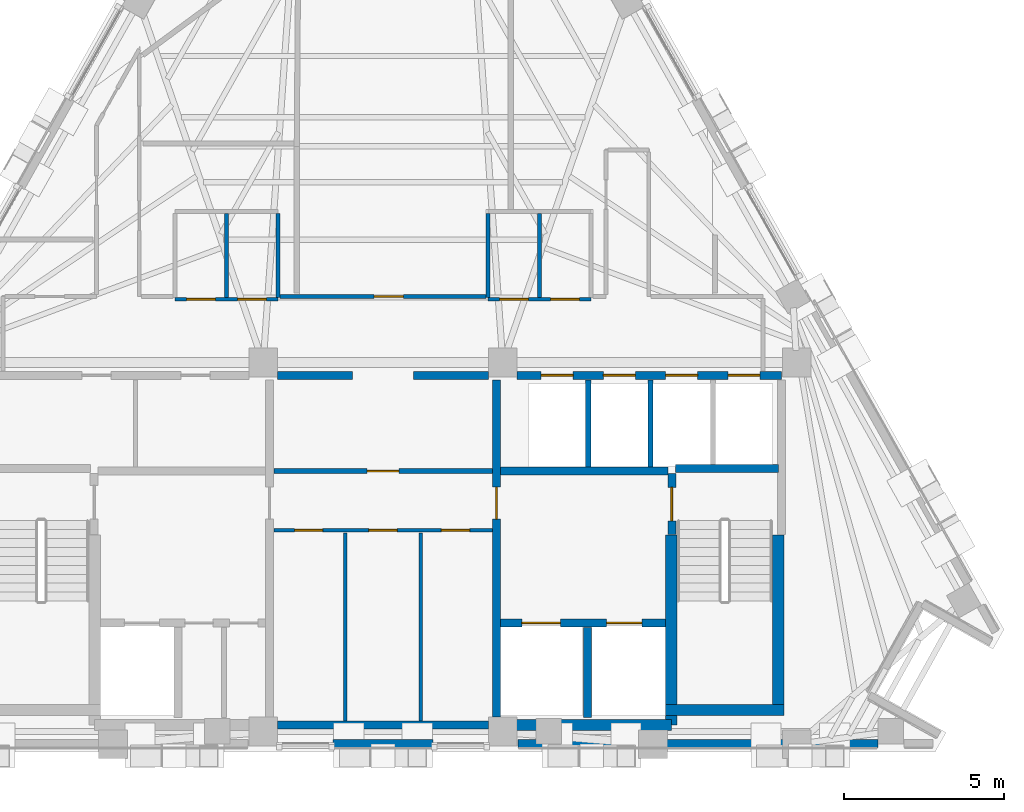
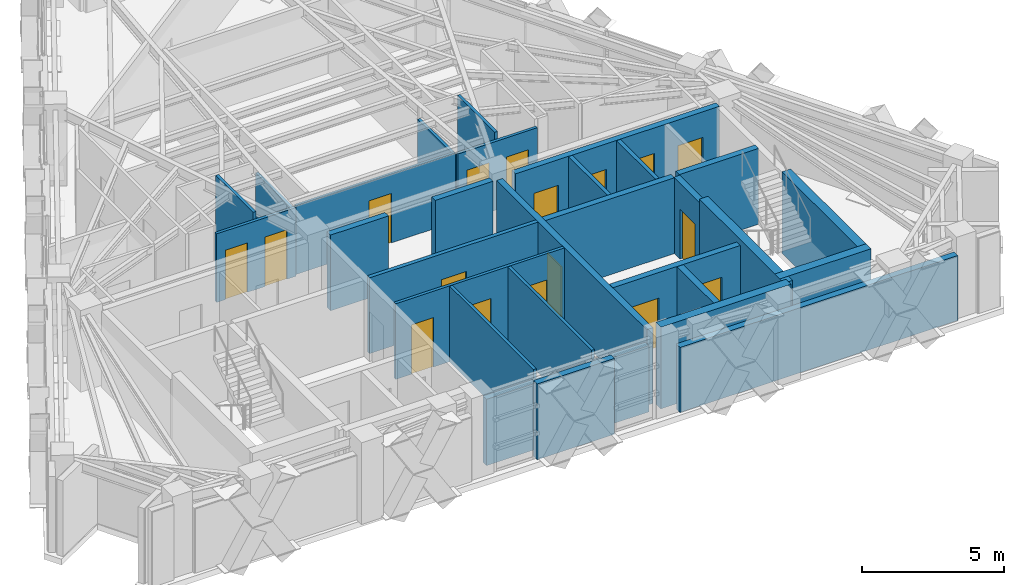
# One storey, part 7 of 11: 29 walls, 17 doors, 17 openings.
"""IFC4 building model written with IfcOpenShell, lengths in metres."""

from ifc_helpers import new_model, si_unit, direction, frame, frame_2d, origin, place, context, subcontext, project, spatial, rectangle, extrude, material, layer, layer_set, type_object, element, fill, save


model = new_model("IFC4")

# Units and contexts
model_context = context("Model", 3, precision=1e-05, world=origin(), true_north=direction((0.0, 1.0)))
body_context = subcontext(model_context, "Body", "Model", "MODEL_VIEW")
ifc_project = project(units=[si_unit("LENGTHUNIT", "METRE"), si_unit("AREAUNIT", "SQUARE_METRE"), si_unit("VOLUMEUNIT", "CUBIC_METRE"), si_unit("PLANEANGLEUNIT", "RADIAN"), si_unit("MASSUNIT", "GRAM", prefix="KILO")], contexts=[model_context])

# Site, building, storey
site_placement = place(None, origin())
site = spatial("IfcSite", under=ifc_project, at=site_placement, CompositionType="ELEMENT")
building_placement = place(site_placement, origin())
building = spatial("IfcBuilding", under=site, at=building_placement, Name="Quenlor Broadcast Tower", CompositionType="ELEMENT")
storey_placement = place(building_placement, frame((0.0, 0.0, 242.89990234375)))
storey = spatial("IfcBuildingStorey", under=building, at=storey_placement, Name="L67", CompositionType="ELEMENT", Elevation=242.89990234375)

# Walls
ifc_material_1 = material(Name="Concrete C50/60", Category="concrete")
ifc_layer_1 = layer(ifc_material_1, 0.35009765625)
ifc_layer_set_1 = layer_set([ifc_layer_1], Name="Core Concrete C50/60 Shear Wall 350")
wall_type_1 = type_object("IfcWallType", Name="Core Concrete C50/60 Shear Wall 350", PredefinedType="SHEAR", material=ifc_layer_set_1)
wall_1_placement = place(storey_placement, frame((3.75, -16.14990234375, 0.0), z_axis=(0.0, 0.0, 1.0), x_axis=(1.0, 0.0, 0.0)))
element("IfcWall", 1, at=wall_1_placement, inside=storey, type_object=wall_type_1, Name="L67 Core Shear Wall WS-E1", PredefinedType="SHEAR", context=body_context, shape_type="SweptSolid", body=[
    extrude(rectangle(XDim=5.27490234375, YDim=0.35009765625, at=frame_2d((2.637451171875, 0.0))), origin(), (0.0, 0.0, 1.0), 3.5),
])
wall_2_placement = place(storey_placement, frame((8.85009765625, -15.675048828125, 0.0), z_axis=(0.0, 0.0, 1.0), x_axis=(1.0, 0.0, 0.0)))
element("IfcWall", 2, at=wall_2_placement, inside=storey, type_object=wall_type_1, Name="L67 Core Shear Wall WS-E2", PredefinedType="SHEAR", context=body_context, shape_type="SweptSolid", body=[
    extrude(rectangle(XDim=3.699951171875, YDim=0.35009765625, at=frame_2d((1.85009765625, 0.0))), origin(), (0.0, 0.0, 1.0), 3.5),
])
wall_3_placement = place(storey_placement, frame((12.375, -15.675048828125, 0.0), z_axis=(0.0, 0.0, 1.0), x_axis=(0.0, 1.0, 0.0)))
element("IfcWall", 3, at=wall_3_placement, inside=storey, type_object=wall_type_1, Name="L67 Core Shear Wall WF-E", PredefinedType="SHEAR", context=body_context, shape_type="SweptSolid", body=[
    extrude(rectangle(XDim=5.47509765625, YDim=0.35009765625, at=frame_2d((2.737548828125, 0.0))), origin(), (0.0, 0.0, 1.0), 3.5),
])
wall_4_placement = place(storey_placement, frame((9.02490234375, -16.14990234375, 0.0), z_axis=(0.0, 0.0, 1.0), x_axis=(0.0, 1.0, 0.0)))
element("IfcWall", 4, at=wall_4_placement, inside=storey, type_object=wall_type_1, Name="L67 Core Shear Wall WI-E", PredefinedType="SHEAR", context=body_context, shape_type="SweptSolid", body=[
    extrude(rectangle(XDim=5.949951171875, YDim=0.35009765625, at=frame_2d((2.97509765625, 0.0))), origin(), (0.0, 0.0, 1.0), 3.5),
])

# Wall, opening, door
ifc_material_2 = material(Name="Concrete C40/50", Category="concrete")
ifc_layer_2 = layer(ifc_material_2, 0.25)
ifc_layer_set_2 = layer_set([ifc_layer_2], Name="Fire Rated Concrete C40/50 Core Wall 250")
wall_type_2 = type_object("IfcWallType", Name="Fire Rated Concrete C40/50 Core Wall 250", PredefinedType="PARTITIONING", material=ifc_layer_set_2)
wall_5_placement = place(storey_placement, frame((9.0400390625, -10.179931640625, 0.0), z_axis=(0.0, 0.0, 1.0), x_axis=(0.0, 1.0, 0.0)))
wall_5 = element("IfcWall", 5, at=wall_5_placement, inside=storey, type_object=wall_type_2, Name="L67 Interior Wall CW-ST2-DR", PredefinedType="PARTITIONING", context=body_context, shape_type="SweptSolid", body=[
    extrude(rectangle(XDim=1.89990234375, YDim=0.25, at=frame_2d((0.949951171875, 0.0))), origin(), (0.0, 0.0, 1.0), 3.25),
])
opening_1_placement = place(wall_5_placement, frame((0.419921875, 0.0, 0.0)))
opening_1 = element("IfcOpeningElement", 6, at=opening_1_placement, cuts=wall_5, Name="Opening FD-1", PredefinedType="OPENING", context=body_context, shape_type="SweptSolid", body=[
    extrude(rectangle(XDim=1.050048828125, YDim=2.14990234375, at=frame_2d((0.52490234375, 1.074951171875))), frame((0.0, 0.135009765625, 0.0), z_axis=(0.0, -1.0, 0.0), x_axis=(1.0, 0.0, 0.0)), (0.0, 0.0, 1.0), 0.27001953125),
])
ifc_material_3 = material(Name="Fire Rated Steel Door Leaf", Category="steel")
door_type_1 = type_object("IfcDoorType", Name="Fire Isolated Stair Door 1050x2150", OperationType="NOTDEFINED", PredefinedType="DOOR", material=ifc_material_3)
door_1_placement = place(opening_1_placement, origin())
door_1 = element("IfcDoor", 7, at=door_1_placement, inside=storey, type_object=door_type_1, Name="L67 Door DR-ST2", OperationType="SINGLE_SWING_RIGHT", OverallHeight=2.14990234375, OverallWidth=1.050048828125, PredefinedType="DOOR", context=body_context, shape_type="SweptSolid", body=[
    extrude(rectangle(XDim=1.050048828125, YDim=2.14990234375, at=frame_2d((0.52490234375, 1.074951171875))), frame((0.0, 0.02490234375, 0.0), z_axis=(0.0, -1.0, 0.0), x_axis=(1.0, 0.0, 0.0)), (0.0, 0.0, 1.0), 0.050048828125),
])
fill(opening_1, door_1)

# Wall
wall_6_placement = place(storey_placement, frame((9.159912109375, -8.1201171875, 0.0), z_axis=(0.0, 0.0, 1.0), x_axis=(1.0, 0.0, 0.0)))
element("IfcWall", 8, at=wall_6_placement, inside=storey, type_object=wall_type_2, Name="L67 Interior Wall CW-ST2-N", PredefinedType="PARTITIONING", context=body_context, shape_type="SweptSolid", body=[
    extrude(rectangle(XDim=3.219970703125, YDim=0.25, at=frame_2d((1.60986328125, 0.0))), origin(), (0.0, 0.0, 1.0), 3.25),
])

# Wall, openings, doors
wall_7_placement = place(storey_placement, frame((3.679931640625, -12.949951171875, 0.0), z_axis=(0.0, 0.0, 1.0), x_axis=(1.0, 0.0, 0.0)))
wall_7 = element("IfcWall", 9, at=wall_7_placement, inside=storey, type_object=wall_type_2, Name="L67 Interior Wall CW-FFE-S", PredefinedType="PARTITIONING", context=body_context, shape_type="SweptSolid", body=[
    extrude(rectangle(XDim=5.16796875, YDim=0.25, at=frame_2d((2.583984375, 0.0))), origin(), (0.0, 0.0, 1.0), 3.25),
])
opening_2_placement = place(wall_7_placement, frame((3.320068359375, 0.0, 0.0)))
opening_2 = element("IfcOpeningElement", 10, at=opening_2_placement, cuts=wall_7, Name="Opening LD-FFL-2", PredefinedType="OPENING", context=body_context, shape_type="SweptSolid", body=[
    extrude(rectangle(XDim=1.10009765625, YDim=2.14990234375, at=frame_2d((0.550048828125, 1.074951171875))), frame((0.0, 0.135009765625, 0.0), z_axis=(0.0, -1.0, 0.0), x_axis=(1.0, 0.0, 0.0)), (0.0, 0.0, 1.0), 0.27001953125),
])
opening_3_placement = place(wall_7_placement, frame((0.669921875, 0.0, 0.0)))
opening_3 = element("IfcOpeningElement", 11, at=opening_3_placement, cuts=wall_7, Name="Opening LD-SVL-1", PredefinedType="OPENING", context=body_context, shape_type="SweptSolid", body=[
    extrude(rectangle(XDim=1.199951171875, YDim=2.14990234375, at=frame_2d((0.60009765625, 1.074951171875))), frame((0.0, 0.135009765625, 0.0), z_axis=(0.0, -1.0, 0.0), x_axis=(1.0, 0.0, 0.0)), (0.0, 0.0, 1.0), 0.27001953125),
])
ifc_material_4 = material(Name="Brushed Stainless Steel", Category="steel")
door_type_2 = type_object("IfcDoorType", Name="Emergency Lift Sliding Landing Door 1100x2150", OperationType="NOTDEFINED", PredefinedType="DOOR", material=ifc_material_4)
door_2_placement = place(opening_2_placement, origin())
door_2 = element("IfcDoor", 12, at=door_2_placement, inside=storey, type_object=door_type_2, Name="L67 Door LD-FFL-2", OperationType="SLIDING_TO_RIGHT", OverallHeight=2.14990234375, OverallWidth=1.10009765625, PredefinedType="DOOR", context=body_context, shape_type="SweptSolid", body=[
    extrude(rectangle(XDim=1.10009765625, YDim=2.14990234375, at=frame_2d((0.550048828125, 1.074951171875))), frame((0.0, 0.02490234375, 0.0), z_axis=(0.0, -1.0, 0.0), x_axis=(1.0, 0.0, 0.0)), (0.0, 0.0, 1.0), 0.050048828125),
])
fill(opening_2, door_2)
ifc_material_5 = material(Name="Brushed Stainless Steel", Category="steel")
door_type_3 = type_object("IfcDoorType", Name="Goods Lift Sliding Landing Door 1200x2150", OperationType="NOTDEFINED", PredefinedType="DOOR", material=ifc_material_5)
door_3_placement = place(opening_3_placement, origin())
door_3 = element("IfcDoor", 13, at=door_3_placement, inside=storey, type_object=door_type_3, Name="L67 Door LD-SVL-1", OperationType="SLIDING_TO_LEFT", OverallHeight=2.14990234375, OverallWidth=1.199951171875, PredefinedType="DOOR", context=body_context, shape_type="SweptSolid", body=[
    extrude(rectangle(XDim=1.199951171875, YDim=2.14990234375, at=frame_2d((0.60009765625, 1.074951171875))), frame((0.0, 0.02490234375, 0.0), z_axis=(0.0, -1.0, 0.0), x_axis=(1.0, 0.0, 0.0)), (0.0, 0.0, 1.0), 0.050048828125),
])
fill(opening_3, door_3)

# Walls
wall_8_placement = place(storey_placement, frame((6.39990234375, -15.919921875, 0.0), z_axis=(0.0, 0.0, 1.0), x_axis=(0.0, 1.0, 0.0)))
element("IfcWall", 14, at=wall_8_placement, inside=storey, type_object=wall_type_2, Name="L67 Interior Wall CW-SV1-E", PredefinedType="PARTITIONING", context=body_context, shape_type="SweptSolid", body=[
    extrude(rectangle(XDim=2.829833984375, YDim=0.25, at=frame_2d((1.4150390625, 0.0))), origin(), (0.0, 0.0, 1.0), 3.25),
])
wall_9_placement = place(storey_placement, frame((3.679931640625, -8.199951171875, 0.0), z_axis=(0.0, 0.0, 1.0), x_axis=(1.0, 0.0, 0.0)))
element("IfcWall", 15, at=wall_9_placement, inside=storey, type_object=wall_type_2, Name="L67 Interior Wall CW-FFE-N", PredefinedType="PARTITIONING", context=body_context, shape_type="SweptSolid", body=[
    extrude(rectangle(XDim=5.239990234375, YDim=0.25, at=frame_2d((2.6201171875, 0.0))), origin(), (0.0, 0.0, 1.0), 3.25),
])

# Wall, opening, door
wall_10_placement = place(storey_placement, frame((3.550048828125, -15.89794921875, 0.0), z_axis=(0.0, 0.0, 1.0), x_axis=(0.0, 1.0, 0.0)))
wall_10 = element("IfcWall", 16, at=wall_10_placement, inside=storey, type_object=wall_type_2, Name="L67 Interior Wall CW-FFE-W", PredefinedType="PARTITIONING", context=body_context, shape_type="SweptSolid", body=[
    extrude(rectangle(XDim=10.557861328125, YDim=0.25, at=frame_2d((5.27880859375, 0.0))), origin(), (0.0, 0.0, 1.0), 3.25),
])
opening_4_placement = place(wall_10_placement, frame((6.197998046875, 0.0, 0.0)))
opening_4 = element("IfcOpeningElement", 17, at=opening_4_placement, cuts=wall_10, Name="Opening FD-2", PredefinedType="OPENING", context=body_context, shape_type="SweptSolid", body=[
    extrude(rectangle(XDim=1.0, YDim=2.14990234375, at=frame_2d((0.5, 1.074951171875))), frame((0.0, 0.135009765625, 0.0), z_axis=(0.0, -1.0, 0.0), x_axis=(1.0, 0.0, 0.0)), (0.0, 0.0, 1.0), 0.27001953125),
])
ifc_material_6 = material(Name="Fire Rated Glazed Steel Door", Category="steel")
door_type_4 = type_object("IfcDoorType", Name="Firefighting Lobby Smoke Door 1000x2150", OperationType="NOTDEFINED", PredefinedType="DOOR", material=ifc_material_6)
door_4_placement = place(opening_4_placement, origin())
door_4 = element("IfcDoor", 18, at=door_4_placement, inside=storey, type_object=door_type_4, Name="L67 Door DR-FFLE", OperationType="SINGLE_SWING_LEFT", OverallHeight=2.14990234375, OverallWidth=1.0, PredefinedType="DOOR", context=body_context, shape_type="SweptSolid", body=[
    extrude(rectangle(XDim=1.0, YDim=2.14990234375, at=frame_2d((0.5, 1.074951171875))), frame((0.0, 0.02490234375, 0.0), z_axis=(0.0, -1.0, 0.0), x_axis=(1.0, 0.0, 0.0)), (0.0, 0.0, 1.0), 0.050048828125),
])
fill(opening_4, door_4)

# Wall, openings, doors
wall_11_placement = place(storey_placement, frame((4.201904296875, -5.199951171875, 0.0), z_axis=(0.0, 0.0, 1.0), x_axis=(1.0, 0.0, 0.0)))
wall_11 = element("IfcWall", 19, at=wall_11_placement, inside=storey, type_object=wall_type_2, Name="L67 Interior Wall CW-N-E", PredefinedType="PARTITIONING", context=body_context, shape_type="SweptSolid", body=[
    extrude(rectangle(XDim=8.278076171875, YDim=0.25, at=frame_2d((4.13916015625, 0.0))), origin(), (0.0, 0.0, 1.0), 3.25),
])
opening_5_placement = place(wall_11_placement, frame((0.748046875, 0.0, 0.0)))
opening_5 = element("IfcOpeningElement", 20, at=opening_5_placement, cuts=wall_11, Name="Opening LD-PL-H1", PredefinedType="OPENING", context=body_context, shape_type="SweptSolid", body=[
    extrude(rectangle(XDim=1.0, YDim=2.14990234375, at=frame_2d((0.5, 1.074951171875))), frame((0.0, 0.135009765625, 0.0), z_axis=(0.0, -1.0, 0.0), x_axis=(1.0, 0.0, 0.0)), (0.0, 0.0, 1.0), 0.27001953125),
])
opening_6_placement = place(wall_11_placement, frame((2.697998046875, 0.0, 0.0)))
opening_6 = element("IfcOpeningElement", 21, at=opening_6_placement, cuts=wall_11, Name="Opening LD-PL-H2", PredefinedType="OPENING", context=body_context, shape_type="SweptSolid", body=[
    extrude(rectangle(XDim=1.0, YDim=2.14990234375, at=frame_2d((0.5, 1.074951171875))), frame((0.0, 0.135009765625, 0.0), z_axis=(0.0, -1.0, 0.0), x_axis=(1.0, 0.0, 0.0)), (0.0, 0.0, 1.0), 0.27001953125),
])
opening_7_placement = place(wall_11_placement, frame((4.64794921875, 0.0, 0.0)))
opening_7 = element("IfcOpeningElement", 22, at=opening_7_placement, cuts=wall_11, Name="Opening LD-PL-H3", PredefinedType="OPENING", context=body_context, shape_type="SweptSolid", body=[
    extrude(rectangle(XDim=1.0, YDim=2.14990234375, at=frame_2d((0.5, 1.074951171875))), frame((0.0, 0.135009765625, 0.0), z_axis=(0.0, -1.0, 0.0), x_axis=(1.0, 0.0, 0.0)), (0.0, 0.0, 1.0), 0.27001953125),
])
opening_8_placement = place(wall_11_placement, frame((6.597900390625, 0.0, 0.0)))
opening_8 = element("IfcOpeningElement", 23, at=opening_8_placement, cuts=wall_11, Name="Opening LD-PL-H4", PredefinedType="OPENING", context=body_context, shape_type="SweptSolid", body=[
    extrude(rectangle(XDim=1.0, YDim=2.14990234375, at=frame_2d((0.5, 1.074951171875))), frame((0.0, 0.135009765625, 0.0), z_axis=(0.0, -1.0, 0.0), x_axis=(1.0, 0.0, 0.0)), (0.0, 0.0, 1.0), 0.27001953125),
])
ifc_material_7 = material(Name="Brushed Stainless Steel", Category="steel")
door_type_5 = type_object("IfcDoorType", Name="Passenger Lift Sliding Landing Door 1000x2150", OperationType="NOTDEFINED", PredefinedType="DOOR", material=ifc_material_7)
door_5_placement = place(opening_5_placement, origin())
door_5 = element("IfcDoor", 24, at=door_5_placement, inside=storey, type_object=door_type_5, Name="L67 Door LD-PL-H1", OperationType="SLIDING_TO_RIGHT", OverallHeight=2.14990234375, OverallWidth=1.0, PredefinedType="DOOR", context=body_context, shape_type="SweptSolid", body=[
    extrude(rectangle(XDim=1.0, YDim=2.14990234375, at=frame_2d((0.5, 1.074951171875))), frame((0.0, 0.02490234375, 0.0), z_axis=(0.0, -1.0, 0.0), x_axis=(1.0, 0.0, 0.0)), (0.0, 0.0, 1.0), 0.050048828125),
])
fill(opening_5, door_5)
door_6_placement = place(opening_6_placement, origin())
door_6 = element("IfcDoor", 25, at=door_6_placement, inside=storey, type_object=door_type_5, Name="L67 Door LD-PL-H2", OperationType="SLIDING_TO_RIGHT", OverallHeight=2.14990234375, OverallWidth=1.0, PredefinedType="DOOR", context=body_context, shape_type="SweptSolid", body=[
    extrude(rectangle(XDim=1.0, YDim=2.14990234375, at=frame_2d((0.5, 1.074951171875))), frame((0.0, 0.02490234375, 0.0), z_axis=(0.0, -1.0, 0.0), x_axis=(1.0, 0.0, 0.0)), (0.0, 0.0, 1.0), 0.050048828125),
])
fill(opening_6, door_6)
door_7_placement = place(opening_7_placement, origin())
door_7 = element("IfcDoor", 26, at=door_7_placement, inside=storey, type_object=door_type_5, Name="L67 Door LD-PL-H3", OperationType="SLIDING_TO_RIGHT", OverallHeight=2.14990234375, OverallWidth=1.0, PredefinedType="DOOR", context=body_context, shape_type="SweptSolid", body=[
    extrude(rectangle(XDim=1.0, YDim=2.14990234375, at=frame_2d((0.5, 1.074951171875))), frame((0.0, 0.02490234375, 0.0), z_axis=(0.0, -1.0, 0.0), x_axis=(1.0, 0.0, 0.0)), (0.0, 0.0, 1.0), 0.050048828125),
])
fill(opening_7, door_7)
door_8_placement = place(opening_8_placement, origin())
door_8 = element("IfcDoor", 27, at=door_8_placement, inside=storey, type_object=door_type_5, Name="L67 Door LD-PL-H4", OperationType="SLIDING_TO_RIGHT", OverallHeight=2.14990234375, OverallWidth=1.0, PredefinedType="DOOR", context=body_context, shape_type="SweptSolid", body=[
    extrude(rectangle(XDim=1.0, YDim=2.14990234375, at=frame_2d((0.5, 1.074951171875))), frame((0.0, 0.02490234375, 0.0), z_axis=(0.0, -1.0, 0.0), x_axis=(1.0, 0.0, 0.0)), (0.0, 0.0, 1.0), 0.050048828125),
])
fill(opening_8, door_8)

# Walls
for number, where, z_axis, x_axis, name in (
    (28, (-3.298095703125, -5.199951171875, 0.0), (0.0, 0.0, 1.0), (1.0, 0.0, 0.0), "L67 Interior Wall CW-N-M1"),
    (29, (0.949951171875, -5.199951171875, 0.0), (0.0, 0.0, 1.0), (1.0, 0.0, 0.0), "L67 Interior Wall CW-N-M2"),
):
    element("IfcWall", number, at=place(storey_placement, frame(where, z_axis=z_axis, x_axis=x_axis)), inside=storey, type_object=wall_type_2, Name=name, PredefinedType="PARTITIONING", context=body_context, shape_type="SweptSolid", body=[
        extrude(rectangle(XDim=2.34814453125, YDim=0.25, at=frame_2d((1.174072265625, 0.0))), origin(), (0.0, 0.0, 1.0), 3.25),
    ])
wall_12_placement = place(storey_placement, frame((-3.298095703125, -16.14990234375, 0.0), z_axis=(0.0, 0.0, 1.0), x_axis=(1.0, 0.0, 0.0)))
element("IfcWall", 30, at=wall_12_placement, inside=storey, type_object=wall_type_2, Name="L67 Interior Wall CW-MS-S", PredefinedType="PARTITIONING", context=body_context, shape_type="SweptSolid", body=[
    extrude(rectangle(XDim=6.59619140625, YDim=0.25, at=frame_2d((3.298095703125, 0.0))), origin(), (0.0, 0.0, 1.0), 2.84375),
])
ifc_material_8 = material(Name="Gypsum Fireboard Partition", Category="other")
ifc_layer_3 = layer(ifc_material_8, 0.159912109375)
ifc_layer_set_3 = layer_set([ifc_layer_3], Name="Fire Rated Shaft and Corridor Partition 160")
wall_type_3 = type_object("IfcWallType", Name="Fire Rated Shaft and Corridor Partition 160", PredefinedType="PARTITIONING", material=ifc_layer_set_3)
for number, where, z_axis, x_axis, name in (
    (31, (6.425048828125, -8.072998046875, 0.0), (0.0, 0.0, 1.0), (0.0, 1.0, 0.0), "L67 Interior Wall CW-PLH-D1"),
    (32, (8.375, -8.072998046875, 0.0), (0.0, 0.0, 1.0), (0.0, 1.0, 0.0), "L67 Interior Wall CW-PLH-D2"),
):
    element("IfcWall", number, at=place(storey_placement, frame(where, z_axis=z_axis, x_axis=x_axis)), inside=storey, type_object=wall_type_3, Name=name, PredefinedType="PARTITIONING", context=body_context, shape_type="SweptSolid", body=[
        extrude(rectangle(XDim=2.73291015625, YDim=0.159912109375, at=frame_2d((1.366455078125, 0.0))), origin(), (0.0, 0.0, 1.0), 3.25),
    ])

# Wall, opening, door
wall_13_placement = place(storey_placement, frame((-3.419921875, -8.199951171875, 0.0), z_axis=(0.0, 0.0, 1.0), x_axis=(1.0, 0.0, 0.0)))
wall_13 = element("IfcWall", 33, at=wall_13_placement, inside=storey, type_object=wall_type_3, Name="L67 Interior Wall CW-M-BACK", PredefinedType="PARTITIONING", context=body_context, shape_type="SweptSolid", body=[
    extrude(rectangle(XDim=6.83984375, YDim=0.159912109375, at=frame_2d((3.419921875, 0.0))), origin(), (0.0, 0.0, 1.0), 3.25),
])
opening_9_placement = place(wall_13_placement, frame((2.919921875, 0.0, 0.0)))
opening_9 = element("IfcOpeningElement", 34, at=opening_9_placement, cuts=wall_13, Name="Opening FD-2", PredefinedType="OPENING", context=body_context, shape_type="SweptSolid", body=[
    extrude(rectangle(XDim=1.0, YDim=2.14990234375, at=frame_2d((0.5, 1.074951171875))), frame((0.0, 0.08984375, 0.0), z_axis=(0.0, -1.0, 0.0), x_axis=(1.0, 0.0, 0.0)), (0.0, 0.0, 1.0), 0.179931640625),
])
door_9_placement = place(opening_9_placement, origin())
door_9 = element("IfcDoor", 35, at=door_9_placement, inside=storey, type_object=door_type_4, Name="L67 Door DR-CCRP", OperationType="SINGLE_SWING_LEFT", OverallHeight=2.14990234375, OverallWidth=1.0, PredefinedType="DOOR", context=body_context, shape_type="SweptSolid", body=[
    extrude(rectangle(XDim=1.0, YDim=2.14990234375, at=frame_2d((0.5, 1.074951171875))), frame((0.0, 0.02490234375, 0.0), z_axis=(0.0, -1.0, 0.0), x_axis=(1.0, 0.0, 0.0)), (0.0, 0.0, 1.0), 0.050048828125),
])
fill(opening_9, door_9)

# Wall, openings, doors
ifc_material_9 = material(Name="Gypsum Plasterboard Partition", Category="other")
ifc_layer_4 = layer(ifc_material_9, 0.1201171875)
ifc_layer_set_4 = layer_set([ifc_layer_4], Name="Standard Office Partition 120")
wall_type_4 = type_object("IfcWallType", Name="Standard Office Partition 120", PredefinedType="PARTITIONING", material=ifc_layer_set_4)
wall_14_placement = place(storey_placement, frame((-3.419921875, -10.050048828125, 0.0), z_axis=(0.0, 0.0, 1.0), x_axis=(1.0, 0.0, 0.0)))
wall_14 = element("IfcWall", 36, at=wall_14_placement, inside=storey, type_object=wall_type_4, Name="L67 Interior Wall CW-MS-N", PredefinedType="PARTITIONING", context=body_context, shape_type="SweptSolid", body=[
    extrude(rectangle(XDim=6.83984375, YDim=0.1201171875, at=frame_2d((3.419921875, 0.0))), origin(), (0.0, 0.0, 1.0), 3.25),
])
opening_10_placement = place(wall_14_placement, frame((0.64990234375, 0.0, 0.0)))
opening_10 = element("IfcOpeningElement", 37, at=opening_10_placement, cuts=wall_14, Name="Opening ID-4", PredefinedType="OPENING", context=body_context, shape_type="SweptSolid", body=[
    extrude(rectangle(XDim=0.8798828125, YDim=2.1201171875, at=frame_2d((0.43994140625, 1.06005859375))), frame((0.0, 0.070068359375, 0.0), z_axis=(0.0, -1.0, 0.0), x_axis=(1.0, 0.0, 0.0)), (0.0, 0.0, 1.0), 0.14013671875),
])
opening_11_placement = place(wall_14_placement, frame((2.97998046875, 0.0, 0.0)))
opening_11 = element("IfcOpeningElement", 38, at=opening_11_placement, cuts=wall_14, Name="Opening ID-4", PredefinedType="OPENING", context=body_context, shape_type="SweptSolid", body=[
    extrude(rectangle(XDim=0.8798828125, YDim=2.1201171875, at=frame_2d((0.43994140625, 1.06005859375))), frame((0.0, 0.070068359375, 0.0), z_axis=(0.0, -1.0, 0.0), x_axis=(1.0, 0.0, 0.0)), (0.0, 0.0, 1.0), 0.14013671875),
])
opening_12_placement = place(wall_14_placement, frame((5.25, 0.0, 0.0)))
opening_12 = element("IfcOpeningElement", 39, at=opening_12_placement, cuts=wall_14, Name="Opening ID-4", PredefinedType="OPENING", context=body_context, shape_type="SweptSolid", body=[
    extrude(rectangle(XDim=0.8798828125, YDim=2.1201171875, at=frame_2d((0.43994140625, 1.06005859375))), frame((0.0, 0.070068359375, 0.0), z_axis=(0.0, -1.0, 0.0), x_axis=(1.0, 0.0, 0.0)), (0.0, 0.0, 1.0), 0.14013671875),
])
ifc_material_10 = material(Name="Solid Core Timber Oak", Category="wood")
door_type_6 = type_object("IfcDoorType", Name="Service Closet Timber Door 880x2120", OperationType="NOTDEFINED", PredefinedType="DOOR", material=ifc_material_10)
door_10_placement = place(opening_10_placement, origin())
door_10 = element("IfcDoor", 40, at=door_10_placement, inside=storey, type_object=door_type_6, Name="L67 Door DR-RCMA", OperationType="SINGLE_SWING_LEFT", OverallHeight=2.1201171875, OverallWidth=0.8798828125, PredefinedType="DOOR", context=body_context, shape_type="SweptSolid", body=[
    extrude(rectangle(XDim=0.8798828125, YDim=2.1201171875, at=frame_2d((0.43994140625, 1.06005859375))), frame((0.0, 0.02490234375, 0.0), z_axis=(0.0, -1.0, 0.0), x_axis=(1.0, 0.0, 0.0)), (0.0, 0.0, 1.0), 0.050048828125),
])
fill(opening_10, door_10)
door_11_placement = place(opening_11_placement, origin())
door_11 = element("IfcDoor", 41, at=door_11_placement, inside=storey, type_object=door_type_6, Name="L67 Door DR-RCMV", OperationType="SINGLE_SWING_LEFT", OverallHeight=2.1201171875, OverallWidth=0.8798828125, PredefinedType="DOOR", context=body_context, shape_type="SweptSolid", body=[
    extrude(rectangle(XDim=0.8798828125, YDim=2.1201171875, at=frame_2d((0.43994140625, 1.06005859375))), frame((0.0, 0.02490234375, 0.0), z_axis=(0.0, -1.0, 0.0), x_axis=(1.0, 0.0, 0.0)), (0.0, 0.0, 1.0), 0.050048828125),
])
fill(opening_11, door_11)
door_12_placement = place(opening_12_placement, origin())
door_12 = element("IfcDoor", 42, at=door_12_placement, inside=storey, type_object=door_type_6, Name="L67 Door DR-RCMB", OperationType="SINGLE_SWING_RIGHT", OverallHeight=2.1201171875, OverallWidth=0.8798828125, PredefinedType="DOOR", context=body_context, shape_type="SweptSolid", body=[
    extrude(rectangle(XDim=0.8798828125, YDim=2.1201171875, at=frame_2d((0.43994140625, 1.06005859375))), frame((0.0, 0.02490234375, 0.0), z_axis=(0.0, -1.0, 0.0), x_axis=(1.0, 0.0, 0.0)), (0.0, 0.0, 1.0), 0.050048828125),
])
fill(opening_12, door_12)

# Walls
for number, where, z_axis, x_axis, name in (
    (43, (-1.179931640625, -16.02001953125, 0.0), (0.0, 0.0, 1.0), (0.0, 1.0, 0.0), "L67 Interior Wall CW-RCM-W3"),
    (44, (1.179931640625, -16.02001953125, 0.0), (0.0, 0.0, 1.0), (0.0, 1.0, 0.0), "L67 Interior Wall CW-RCM-E3"),
):
    element("IfcWall", number, at=place(storey_placement, frame(where, z_axis=z_axis, x_axis=x_axis)), inside=storey, type_object=wall_type_4, Name=name, PredefinedType="PARTITIONING", context=body_context, shape_type="SweptSolid", body=[
        extrude(rectangle(XDim=5.89013671875, YDim=0.1201171875, at=frame_2d((2.945068359375, 0.0))), origin(), (0.0, 0.0, 1.0), 3.25),
    ])

# Wall, openings, doors
wall_15_placement = place(storey_placement, frame((-6.510009765625, -2.820068359375, 0.0), z_axis=(0.0, 0.0, 1.0), x_axis=(1.0, 0.0, 0.0)))
wall_15 = element("IfcWall", 45, at=wall_15_placement, inside=storey, type_object=wall_type_4, Name="L67 Interior Wall PW-WCW-S", PredefinedType="PARTITIONING", context=body_context, shape_type="SweptSolid", body=[
    extrude(rectangle(XDim=3.219970703125, YDim=0.1201171875, at=frame_2d((1.60986328125, 0.0))), origin(), (0.0, 0.0, 1.0), 2.94287109375),
])
opening_13_placement = place(wall_15_placement, frame((0.360107421875, 0.0, 0.0)))
opening_13 = element("IfcOpeningElement", 46, at=opening_13_placement, cuts=wall_15, Name="Opening ID-3", PredefinedType="OPENING", context=body_context, shape_type="SweptSolid", body=[
    extrude(rectangle(XDim=0.89990234375, YDim=2.1201171875, at=frame_2d((0.449951171875, 1.06005859375))), frame((0.0, 0.070068359375, 0.0), z_axis=(0.0, -1.0, 0.0), x_axis=(1.0, 0.0, 0.0)), (0.0, 0.0, 1.0), 0.14013671875),
])
opening_14_placement = place(wall_15_placement, frame((1.9599609375, 0.0, 0.0)))
opening_14 = element("IfcOpeningElement", 47, at=opening_14_placement, cuts=wall_15, Name="Opening ID-3", PredefinedType="OPENING", context=body_context, shape_type="SweptSolid", body=[
    extrude(rectangle(XDim=0.89990234375, YDim=2.1201171875, at=frame_2d((0.449951171875, 1.06005859375))), frame((0.0, 0.070068359375, 0.0), z_axis=(0.0, -1.0, 0.0), x_axis=(1.0, 0.0, 0.0)), (0.0, 0.0, 1.0), 0.14013671875),
])
ifc_material_11 = material(Name="Moisture Resistant Timber Oak", Category="wood")
door_type_7 = type_object("IfcDoorType", Name="Washroom Privacy Door 900x2120", OperationType="NOTDEFINED", PredefinedType="DOOR", material=ifc_material_11)
door_13_placement = place(opening_13_placement, origin())
door_13 = element("IfcDoor", 48, at=door_13_placement, inside=storey, type_object=door_type_7, Name="L67 Door DR-AWC", OperationType="SINGLE_SWING_LEFT", OverallHeight=2.1201171875, OverallWidth=0.89990234375, PredefinedType="DOOR", context=body_context, shape_type="SweptSolid", body=[
    extrude(rectangle(XDim=0.89990234375, YDim=2.1201171875, at=frame_2d((0.449951171875, 1.06005859375))), frame((0.0, 0.02490234375, 0.0), z_axis=(0.0, -1.0, 0.0), x_axis=(1.0, 0.0, 0.0)), (0.0, 0.0, 1.0), 0.050048828125),
])
fill(opening_13, door_13)
door_14_placement = place(opening_14_placement, origin())
door_14 = element("IfcDoor", 49, at=door_14_placement, inside=storey, type_object=door_type_7, Name="L67 Door DR-SHW", OperationType="SINGLE_SWING_RIGHT", OverallHeight=2.1201171875, OverallWidth=0.89990234375, PredefinedType="DOOR", context=body_context, shape_type="SweptSolid", body=[
    extrude(rectangle(XDim=0.89990234375, YDim=2.1201171875, at=frame_2d((0.449951171875, 1.06005859375))), frame((0.0, 0.02490234375, 0.0), z_axis=(0.0, -1.0, 0.0), x_axis=(1.0, 0.0, 0.0)), (0.0, 0.0, 1.0), 0.050048828125),
])
fill(opening_14, door_14)

# Walls
wall_16_placement = place(storey_placement, frame((-4.89990234375, -2.758056640625, 0.0), z_axis=(0.0, 0.0, 1.0), x_axis=(0.0, 1.0, 0.0)))
element("IfcWall", 50, at=wall_16_placement, inside=storey, type_object=wall_type_4, Name="L67 Interior Wall PW-WCW-M", PredefinedType="PARTITIONING", context=body_context, shape_type="SweptSolid", body=[
    extrude(rectangle(XDim=2.6259765625, YDim=0.1201171875, at=frame_2d((1.31298828125, 0.0))), origin(), (0.0, 0.0, 1.0), 3.25),
])
wall_17_placement = place(storey_placement, frame((-3.2900390625, -2.758056640625, 0.0), z_axis=(0.0, 0.0, 1.0), x_axis=(0.0, 1.0, 0.0)))
element("IfcWall", 51, at=wall_17_placement, inside=storey, type_object=wall_type_4, Name="L67 Interior Wall PW-WCW-E", PredefinedType="PARTITIONING", context=body_context, shape_type="SweptSolid", body=[
    extrude(rectangle(XDim=2.6259765625, YDim=0.1201171875, at=frame_2d((1.31298828125, 0.0))), origin(), (0.0, 0.0, 1.0), 2.789794921875),
])

# Wall, openings, doors
wall_18_placement = place(storey_placement, frame((3.2900390625, -2.820068359375, 0.0), z_axis=(0.0, 0.0, 1.0), x_axis=(1.0, 0.0, 0.0)))
wall_18 = element("IfcWall", 52, at=wall_18_placement, inside=storey, type_object=wall_type_4, Name="L67 Interior Wall PW-WCE-S", PredefinedType="PARTITIONING", context=body_context, shape_type="SweptSolid", body=[
    extrude(rectangle(XDim=3.219970703125, YDim=0.1201171875, at=frame_2d((1.60986328125, 0.0))), origin(), (0.0, 0.0, 1.0), 2.94287109375),
])
opening_15_placement = place(wall_18_placement, frame((0.360107421875, 0.0, 0.0)))
opening_15 = element("IfcOpeningElement", 53, at=opening_15_placement, cuts=wall_18, Name="Opening ID-3", PredefinedType="OPENING", context=body_context, shape_type="SweptSolid", body=[
    extrude(rectangle(XDim=0.89990234375, YDim=2.1201171875, at=frame_2d((0.449951171875, 1.06005859375))), frame((0.0, 0.070068359375, 0.0), z_axis=(0.0, -1.0, 0.0), x_axis=(1.0, 0.0, 0.0)), (0.0, 0.0, 1.0), 0.14013671875),
])
opening_16_placement = place(wall_18_placement, frame((1.9599609375, 0.0, 0.0)))
opening_16 = element("IfcOpeningElement", 54, at=opening_16_placement, cuts=wall_18, Name="Opening ID-3", PredefinedType="OPENING", context=body_context, shape_type="SweptSolid", body=[
    extrude(rectangle(XDim=0.89990234375, YDim=2.1201171875, at=frame_2d((0.449951171875, 1.06005859375))), frame((0.0, 0.070068359375, 0.0), z_axis=(0.0, -1.0, 0.0), x_axis=(1.0, 0.0, 0.0)), (0.0, 0.0, 1.0), 0.14013671875),
])
door_15_placement = place(opening_15_placement, origin())
door_15 = element("IfcDoor", 55, at=door_15_placement, inside=storey, type_object=door_type_7, Name="L67 Door DR-MWC", OperationType="SINGLE_SWING_LEFT", OverallHeight=2.1201171875, OverallWidth=0.89990234375, PredefinedType="DOOR", context=body_context, shape_type="SweptSolid", body=[
    extrude(rectangle(XDim=0.89990234375, YDim=2.1201171875, at=frame_2d((0.449951171875, 1.06005859375))), frame((0.0, 0.02490234375, 0.0), z_axis=(0.0, -1.0, 0.0), x_axis=(1.0, 0.0, 0.0)), (0.0, 0.0, 1.0), 0.050048828125),
])
fill(opening_15, door_15)
door_16_placement = place(opening_16_placement, origin())
door_16 = element("IfcDoor", 56, at=door_16_placement, inside=storey, type_object=door_type_7, Name="L67 Door DR-FWC", OperationType="SINGLE_SWING_RIGHT", OverallHeight=2.1201171875, OverallWidth=0.89990234375, PredefinedType="DOOR", context=body_context, shape_type="SweptSolid", body=[
    extrude(rectangle(XDim=0.89990234375, YDim=2.1201171875, at=frame_2d((0.449951171875, 1.06005859375))), frame((0.0, 0.02490234375, 0.0), z_axis=(0.0, -1.0, 0.0), x_axis=(1.0, 0.0, 0.0)), (0.0, 0.0, 1.0), 0.050048828125),
])
fill(opening_16, door_16)

# Walls
wall_19_placement = place(storey_placement, frame((3.2900390625, -2.758056640625, 0.0), z_axis=(0.0, 0.0, 1.0), x_axis=(0.0, 1.0, 0.0)))
element("IfcWall", 57, at=wall_19_placement, inside=storey, type_object=wall_type_4, Name="L67 Interior Wall PW-WCE-W", PredefinedType="PARTITIONING", context=body_context, shape_type="SweptSolid", body=[
    extrude(rectangle(XDim=2.6259765625, YDim=0.1201171875, at=frame_2d((1.31298828125, 0.0))), origin(), (0.0, 0.0, 1.0), 2.789794921875),
])
wall_20_placement = place(storey_placement, frame((4.89990234375, -2.758056640625, 0.0), z_axis=(0.0, 0.0, 1.0), x_axis=(0.0, 1.0, 0.0)))
element("IfcWall", 58, at=wall_20_placement, inside=storey, type_object=wall_type_4, Name="L67 Interior Wall PW-WCE-M", PredefinedType="PARTITIONING", context=body_context, shape_type="SweptSolid", body=[
    extrude(rectangle(XDim=2.6259765625, YDim=0.1201171875, at=frame_2d((1.31298828125, 0.0))), origin(), (0.0, 0.0, 1.0), 3.25),
])

# Wall, opening, door
wall_21_placement = place(storey_placement, frame((-3.22802734375, -2.72998046875, 0.0), z_axis=(0.0, 0.0, 1.0), x_axis=(1.0, 0.0, 0.0)))
wall_21 = element("IfcWall", 59, at=wall_21_placement, inside=storey, type_object=wall_type_4, Name="L67 Interior Wall PW-CR-08", PredefinedType="PARTITIONING", context=body_context, shape_type="SweptSolid", body=[
    extrude(rectangle(XDim=6.4560546875, YDim=0.1201171875, at=frame_2d((3.22802734375, 0.0))), origin(), (0.0, 0.0, 1.0), 2.94287109375),
])
opening_17_placement = place(wall_21_placement, frame((2.948974609375, 0.0, 0.0)))
opening_17 = element("IfcOpeningElement", 60, at=opening_17_placement, cuts=wall_21, Name="Opening ID-1", PredefinedType="OPENING", context=body_context, shape_type="SweptSolid", body=[
    extrude(rectangle(XDim=0.919921875, YDim=2.1201171875, at=frame_2d((0.4599609375, 1.06005859375))), frame((0.0, 0.070068359375, 0.0), z_axis=(0.0, -1.0, 0.0), x_axis=(1.0, 0.0, 0.0)), (0.0, 0.0, 1.0), 0.14013671875),
])
ifc_material_12 = material(Name="Solid Core Timber Oak", Category="wood")
door_type_8 = type_object("IfcDoorType", Name="Single Leaf Timber Office Door 920x2120", OperationType="NOTDEFINED", PredefinedType="DOOR", material=ifc_material_12)
door_17_placement = place(opening_17_placement, origin())
door_17 = element("IfcDoor", 61, at=door_17_placement, inside=storey, type_object=door_type_8, Name="L67 Door DR-RM04", OperationType="SINGLE_SWING_LEFT", OverallHeight=2.1201171875, OverallWidth=0.919921875, PredefinedType="DOOR", context=body_context, shape_type="SweptSolid", body=[
    extrude(rectangle(XDim=0.919921875, YDim=2.1201171875, at=frame_2d((0.4599609375, 1.06005859375))), frame((0.0, 0.02490234375, 0.0), z_axis=(0.0, -1.0, 0.0), x_axis=(1.0, 0.0, 0.0)), (0.0, 0.0, 1.0), 0.050048828125),
])
fill(opening_17, door_17)

# Walls
ifc_material_13 = material(Name="Precast concrete C40/50", Category="concrete")
ifc_layer_5 = layer(ifc_material_13, 0.260009765625)
ifc_layer_set_5 = layer_set([ifc_layer_5], Name="Terracotta Precast Concrete C40/50 Upper Wall 260")
wall_type_5 = type_object("IfcWallType", Name="Terracotta Precast Concrete C40/50 Upper Wall 260", PredefinedType="STANDARD", material=ifc_layer_set_5)
wall_22_placement = place(storey_placement, frame((15.49267578125, -16.72509765625, 0.0), z_axis=(0.0, 0.0, 1.0), x_axis=(-1.0, 0.0, 0.0)))
element("IfcWall", 62, at=wall_22_placement, inside=storey, type_object=wall_type_5, Name="L67 Exterior Wall L67-EW-SA", PredefinedType="STANDARD", context=body_context, shape_type="SweptSolid", body=[
    extrude(rectangle(XDim=11.272705078125, YDim=0.260009765625, at=frame_2d((5.63623046875, 0.0))), origin(), (0.0, 0.0, 1.0), 2.789794921875),
])
wall_23_placement = place(storey_placement, frame((1.571533203125, -16.72509765625, 0.0), z_axis=(0.0, 0.0, 1.0), x_axis=(-1.0, 0.0, 0.0)))
element("IfcWall", 63, at=wall_23_placement, inside=storey, type_object=wall_type_5, Name="L67 Exterior Wall L67-S-SP1", PredefinedType="STANDARD", context=body_context, shape_type="SweptSolid", body=[
    extrude(rectangle(XDim=3.14306640625, YDim=0.260009765625, at=frame_2d((1.571533203125, 0.0))), origin(), (0.0, 0.0, 1.0), 3.25),
])

save(model, "model.ifc")
